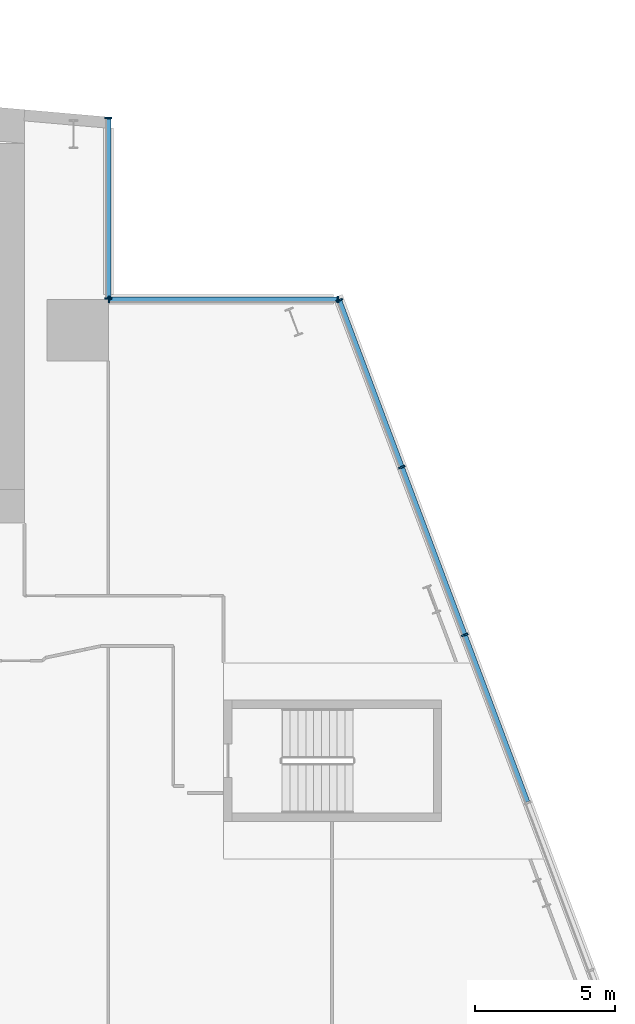
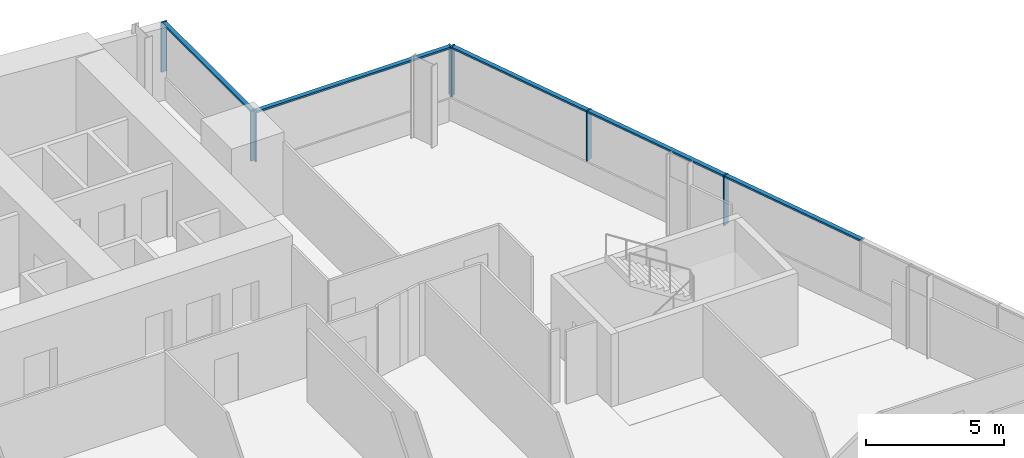
# One storey, part 9 of 24: 12 members, 3 elements without a shape of their own.
"""IFC4 building model written with IfcOpenShell, lengths in metres."""

import ifcopenshell
import ifcopenshell.guid

model = None  # the IFC model being written
_history = None  # IfcOwnerHistory: only IFC2X3 demands one
_inside = {}  # id of a spatial element -> (the spatial element, [elements in it])
_under = {}  # id of a project, library or spatial element -> (it, [spatial elements below it])
_declared = {}  # id of a project -> (the project, [libraries it declares])
_typed = {}  # id of a type object -> (the type object, [elements of that type])
_made_of = {}  # id of a material, layer set ... -> (it, [elements and type objects made of it])


def new_model(schema):
    """Start an empty IFC model of exactly this schema.

    Asked for "IFC4X3", IfcOpenShell would pick the latest addendum, in which some entities
    have other attributes; the version numbers below select the first issue.
    IFC2X3 requires an IfcOwnerHistory on every rooted entity: one is made here for all.
    """
    global model, _history
    if schema == "IFC4X3":
        model = ifcopenshell.file(schema_version=(4, 3, 0, 0))
    else:
        model = ifcopenshell.file(schema=schema)
    _inside.clear()
    _under.clear()
    _declared.clear()
    _typed.clear()
    _made_of.clear()
    _history = None
    if model.schema == "IFC2X3":
        org = make("IfcOrganization", Name="unknown")
        user = make(
            "IfcPersonAndOrganization",
            ThePerson=make("IfcPerson", FamilyName="unknown"),
            TheOrganization=org,
        )
        app = make(
            "IfcApplication",
            ApplicationDeveloper=org,
            Version="unknown",
            ApplicationFullName="unknown",
            ApplicationIdentifier="unknown",
        )
        _history = make(
            "IfcOwnerHistory",
            OwningUser=user,
            OwningApplication=app,
            ChangeAction="ADDED",
            CreationDate=0,
        )
    return model


def make(cls, **values):
    """One entity of the class cls with the attributes given. An attribute that is None is left unset."""
    return model.create_entity(
        cls, **{name: value for name, value in values.items() if value is not None}
    )


def rooted(cls, **values):
    """An entity with a GlobalId (a new one), such as an element, a storey or a relation."""
    return make(cls, GlobalId=ifcopenshell.guid.new(), OwnerHistory=_history, **values)


def si_unit(unit_type, name, prefix=None):
    """IfcSIUnit, for example si_unit("LENGTHUNIT", "METRE", prefix="MILLI")."""
    return make("IfcSIUnit", UnitType=unit_type, Prefix=prefix, Name=name)


def assignment(units):
    """IfcUnitAssignment: the units of a project."""
    return None if units is None else make("IfcUnitAssignment", Units=units)


def point(xyz):
    """IfcCartesianPoint."""
    return None if xyz is None else make("IfcCartesianPoint", Coordinates=xyz)


def direction(xyz):
    """IfcDirection."""
    return None if xyz is None else make("IfcDirection", DirectionRatios=xyz)


def frame(location, z_axis=None, x_axis=None):
    """IfcAxis2Placement3D, a coordinate frame: its origin and axes. An axis left out is left unset."""
    return make(
        "IfcAxis2Placement3D",
        Location=point(location),
        Axis=direction(z_axis),
        RefDirection=direction(x_axis),
    )


def frame_2d(location, x_axis=None):
    """IfcAxis2Placement2D, a coordinate frame in the plane: its origin and x axis."""
    return make(
        "IfcAxis2Placement2D", Location=point(location), RefDirection=direction(x_axis)
    )


def origin():
    """The frame at (0, 0, 0) with its axes left unset."""
    return frame((0.0, 0.0, 0.0))


def origin_2d():
    """The frame at (0, 0) in the plane with its x axis left unset."""
    return frame_2d((0.0, 0.0))


def place(relative_to, where):
    """IfcLocalPlacement: puts the frame where relative to a parent placement (None: the world)."""
    return make(
        "IfcLocalPlacement", PlacementRelTo=relative_to, RelativePlacement=where
    )


def context(
    kind, dimensions, precision=None, world=None, true_north=None, identifier=None
):
    """IfcGeometricRepresentationContext, for example the 3D "Model" context."""
    return make(
        "IfcGeometricRepresentationContext",
        ContextIdentifier=identifier,
        ContextType=kind,
        CoordinateSpaceDimension=dimensions,
        Precision=precision,
        WorldCoordinateSystem=world,
        TrueNorth=true_north,
    )


def subcontext(parent, identifier, kind, view, scale=None):
    """IfcGeometricRepresentationSubContext, for example "Body" below "Model"."""
    return make(
        "IfcGeometricRepresentationSubContext",
        ContextIdentifier=identifier,
        ContextType=kind,
        ParentContext=parent,
        TargetScale=scale,
        TargetView=view,
    )


def project(units=None, contexts=None):
    """IfcProject with its units and contexts."""
    return rooted(
        "IfcProject",
        Name="project",
        RepresentationContexts=contexts,
        UnitsInContext=assignment(units),
    )


def spatial(cls, under=None, at=None, **own):
    """A site, building, storey or space (cls), placed at a placement, below another one or the project."""
    s = rooted(cls, ObjectPlacement=at, **own)
    if under is not None:
        _under.setdefault(under.id(), (under, []))[1].append(s)
    return s


def profile(cls, at=None, kind="AREA", **sizes):
    """A parametric profile (cls). Its sizes go by their IFC names, for example OverallWidth=200.0."""
    return make(cls, ProfileType=kind, Position=at, **sizes)


def rectangle(**sizes):
    """IfcRectangleProfileDef."""
    return profile("IfcRectangleProfileDef", **sizes)


def extrude(swept, where, along, depth):
    """IfcExtrudedAreaSolid: the profile swept, set in the frame where, extruded along a direction by depth."""
    return make(
        "IfcExtrudedAreaSolid",
        SweptArea=swept,
        Position=where,
        ExtrudedDirection=direction(along),
        Depth=depth,
    )


def shape(context_of_items, identifier, shape_type, items):
    """IfcShapeRepresentation: the items that make up one representation, for example the "Body"."""
    return make(
        "IfcShapeRepresentation",
        ContextOfItems=context_of_items,
        RepresentationIdentifier=identifier,
        RepresentationType=shape_type,
        Items=items,
    )


def material(Name=None, Category=None):
    """IfcMaterial."""
    return make("IfcMaterial", Name=Name, Category=Category)


def material_profile(
    of_material, cross_section, Name=None, Category=None, Priority=None
):
    """IfcMaterialProfile: a cross section and its material."""
    return make(
        "IfcMaterialProfile",
        Name=Name,
        Material=of_material,
        Profile=cross_section,
        Priority=Priority,
        Category=Category,
    )


def profile_set(profiles, Name=None, composite=None):
    """IfcMaterialProfileSet."""
    return make(
        "IfcMaterialProfileSet",
        Name=Name,
        MaterialProfiles=profiles,
        CompositeProfile=composite,
    )


def made_of(thing, what):
    """Note that an element or type object is made of a material, layer set ...; save() writes the relation."""
    if what is not None:
        _made_of.setdefault(what.id(), (what, []))[1].append(thing)
    return thing


def type_object(cls, material=None, **own):
    """A type object (cls), such as IfcWallType, which elements share."""
    return made_of(rooted(cls, **own), material)


def element(
    cls,
    number,
    at=None,
    inside=None,
    cuts=None,
    type_object=None,
    material=None,
    context=None,
    identifier="Body",
    shape_type=None,
    held_by="IfcProductDefinitionShape",
    body=None,
    shapes=None,
    **own,
):
    """One element of the class cls, such as IfcWall. Its Tag is "e" and its number.

    at: its placement. inside: the storey or other place that contains it. cuts: it is an
    opening in that element (IfcRelVoidsElement). A single representation is given by context,
    identifier, shape_type and body (its items); several are given by shapes. held_by: the class
    of the entity that holds the representations. save() writes the other relations.
    """
    e = rooted(cls, Tag="e%d" % number, ObjectPlacement=at, **own)
    if body is not None:
        shapes = [shape(context, identifier, shape_type, body)]
    if shapes is not None:
        e.Representation = make(held_by, Representations=shapes)
    if inside is not None:
        _inside.setdefault(inside.id(), (inside, []))[1].append(e)
    if cuts is not None:
        rooted(
            "IfcRelVoidsElement", RelatingBuildingElement=cuts, RelatedOpeningElement=e
        )
    if type_object is not None:
        _typed.setdefault(type_object.id(), (type_object, []))[1].append(e)
    return made_of(e, material)


def aggregate(whole, parts):
    """IfcRelAggregates: a whole, such as a stair, and the parts it consists of."""
    return rooted("IfcRelAggregates", RelatingObject=whole, RelatedObjects=parts)


def save(model, path):
    """Write the relations noted so far, then the file.

    IfcRelAggregates (storeys below a building ...), IfcRelContainedInSpatialStructure (elements
    in a storey), IfcRelDefinesByType, IfcRelAssociatesMaterial and IfcRelDeclares: one each for
    every whole, place, type object, material and project.
    """
    for whole, parts in _under.values():
        aggregate(whole, parts)
    for where, things in _inside.values():
        rooted(
            "IfcRelContainedInSpatialStructure",
            RelatedElements=things,
            RelatingStructure=where,
        )
    for kind, things in _typed.values():
        rooted("IfcRelDefinesByType", RelatedObjects=things, RelatingType=kind)
    for what, things in _made_of.values():
        rooted("IfcRelAssociatesMaterial", RelatedObjects=things, RelatingMaterial=what)
    for by, libraries in _declared.values():
        rooted("IfcRelDeclares", RelatingContext=by, RelatedDefinitions=libraries)
    model.write(path)


model = new_model("IFC4")

# Units and contexts
model_context = context("Model", 3, precision=1e-05, world=origin(), true_north=direction((0.0, 1.0)))
body_context = subcontext(model_context, "Body", "Model", "MODEL_VIEW")
ifc_project = project(units=[si_unit("LENGTHUNIT", "METRE"), si_unit("AREAUNIT", "SQUARE_METRE"), si_unit("VOLUMEUNIT", "CUBIC_METRE"), si_unit("PLANEANGLEUNIT", "RADIAN"), si_unit("MASSUNIT", "GRAM", prefix="KILO")], contexts=[model_context])

# Site, building, storey
site_placement = place(None, origin())
site = spatial("IfcSite", under=ifc_project, at=site_placement, CompositionType="ELEMENT")
building_placement = place(site_placement, origin())
building = spatial("IfcBuilding", under=site, at=building_placement, Name="Wharfspan Tower", CompositionType="ELEMENT")
storey_placement = place(building_placement, frame((0.0, 0.0, 41.5)))
storey = spatial("IfcBuildingStorey", under=building, at=storey_placement, Name="L06", CompositionType="ELEMENT", Elevation=41.5)

# Curtain wall, members
ifc_material = material(Name="Aluminium 6063-T6", Category="aluminium")
curtain_wall_type = type_object("IfcCurtainWallType", Name="CURTAIN WALL PROW AND END", PredefinedType="NOTDEFINED", material=ifc_material)
curtain_wall_1_placement = place(storey_placement, origin())
curtain_wall_1 = element("IfcCurtainWall", 1, at=curtain_wall_1_placement, inside=storey, type_object=curtain_wall_type, Name="Curtain wall E", PredefinedType="NOTDEFINED")
ifc_material_profile_1 = material_profile(ifc_material, rectangle(XDim=0.23999, YDim=0.060059, at=origin_2d()))
ifc_profile_set_1 = profile_set([ifc_material_profile_1], Name="Aluminium 6063-T6")
member_type_1 = type_object("IfcMemberType", Name="MULLION PROW AND END 60x240", PredefinedType="MULLION", material=ifc_profile_set_1)
member_1_placement = place(storey_placement, frame((80.75, 30.0, 1.0), z_axis=(0.0, 0.0, 1.0), x_axis=(-0.936328, -0.351123, 0.0)))
member_1 = element("IfcMember", 2, at=member_1_placement, type_object=member_type_1, Name="Curtain wall E mullion 6", PredefinedType="MULLION", context=body_context, shape_type="SweptSolid", body=[
    extrude(rectangle(XDim=0.23999, YDim=0.060059, at=origin_2d()), origin(), (0.0, 0.0, 1.0), 2.199951),
])
member_2_placement = place(storey_placement, frame((78.5, 36.0, 1.0), z_axis=(0.0, 0.0, 1.0), x_axis=(-0.936328, -0.351123, 0.0)))
member_2 = element("IfcMember", 3, at=member_2_placement, type_object=member_type_1, Name="Curtain wall E mullion 7", PredefinedType="MULLION", context=body_context, shape_type="SweptSolid", body=[
    extrude(rectangle(XDim=0.23999, YDim=0.060059, at=origin_2d()), origin(), (0.0, 0.0, 1.0), 2.199951),
])
member_3_placement = place(storey_placement, frame((76.260498, 41.971924, 1.0), z_axis=(0.0, 0.0, 1.0), x_axis=(-0.936328, -0.351123, 0.0)))
member_3 = element("IfcMember", 4, at=member_3_placement, type_object=member_type_1, Name="Curtain wall E mullion 8", PredefinedType="MULLION", context=body_context, shape_type="SweptSolid", body=[
    extrude(rectangle(XDim=0.23999, YDim=0.060059, at=origin_2d()), origin(), (0.0, 0.0, 1.0), 2.199951),
])

curtain_wall_2_placement = place(storey_placement, origin())
curtain_wall_2 = element("IfcCurtainWall", 5, at=curtain_wall_2_placement, inside=storey, type_object=curtain_wall_type, Name="Curtain wall NRE-H", PredefinedType="NOTDEFINED")
member_4_placement = place(storey_placement, frame((76.219971, 42.0, 1.0), z_axis=(0.0, 0.0, 1.0), x_axis=(0.0, -1.0, 0.0)))
member_4 = element("IfcMember", 6, at=member_4_placement, type_object=member_type_1, Name="Curtain wall NRE-H mullion 1", PredefinedType="MULLION", context=body_context, shape_type="SweptSolid", body=[
    extrude(rectangle(XDim=0.23999, YDim=0.060059, at=origin_2d()), origin(), (0.0, 0.0, 1.0), 2.199951),
])
member_5_placement = place(storey_placement, frame((68.030029, 42.0, 1.0), z_axis=(0.0, 0.0, 1.0), x_axis=(0.0, -1.0, 0.0)))
member_5 = element("IfcMember", 7, at=member_5_placement, type_object=member_type_1, Name="Curtain wall NRE-H mullion 2", PredefinedType="MULLION", context=body_context, shape_type="SweptSolid", body=[
    extrude(rectangle(XDim=0.23999, YDim=0.060059, at=origin_2d()), origin(), (0.0, 0.0, 1.0), 2.199951),
])

curtain_wall_3_placement = place(storey_placement, origin())
curtain_wall_3 = element("IfcCurtainWall", 8, at=curtain_wall_3_placement, inside=storey, type_object=curtain_wall_type, Name="Curtain wall NRE-V", PredefinedType="NOTDEFINED")
member_6_placement = place(storey_placement, frame((68.0, 42.030029, 1.0), z_axis=(0.0, 0.0, 1.0), x_axis=(-1.0, 0.0, 0.0)))
member_6 = element("IfcMember", 9, at=member_6_placement, type_object=member_type_1, Name="Curtain wall NRE-V mullion 1", PredefinedType="MULLION", context=body_context, shape_type="SweptSolid", body=[
    extrude(rectangle(XDim=0.23999, YDim=0.060059, at=origin_2d()), origin(), (0.0, 0.0, 1.0), 2.199951),
])
member_7_placement = place(storey_placement, frame((68.0, 48.494873, 1.0), z_axis=(0.0, 0.0, 1.0), x_axis=(-1.0, 0.0, 0.0)))
member_7 = element("IfcMember", 10, at=member_7_placement, type_object=member_type_1, Name="Curtain wall NRE-V mullion 2", PredefinedType="MULLION", context=body_context, shape_type="SweptSolid", body=[
    extrude(rectangle(XDim=0.23999, YDim=0.060059, at=origin_2d()), origin(), (0.0, 0.0, 1.0), 2.199951),
])

# Member
ifc_material_profile_2 = material_profile(ifc_material, rectangle(XDim=0.179932, YDim=0.080078, at=origin_2d()))
ifc_profile_set_2 = profile_set([ifc_material_profile_2], Name="Aluminium 6063-T6")
member_type_2 = type_object("IfcMemberType", Name="TRANSOM PROW AND END 80x180", PredefinedType="USERDEFINED", material=ifc_profile_set_2)
member_8_placement = place(storey_placement, frame((82.989502, 24.028076, 3.159912), z_axis=(-0.351132, 0.936326, 0.0), x_axis=(-0.936326, -0.351132, 0.0)))
member_8 = element("IfcMember", 11, at=member_8_placement, type_object=member_type_2, Name="Curtain wall E transom 5", ObjectType="TRANSOM", PredefinedType="USERDEFINED", context=body_context, shape_type="SweptSolid", body=[
    extrude(rectangle(XDim=0.179932, YDim=0.080078, at=origin_2d()), origin(), (0.0, 0.0, 1.0), 6.348145),
])

member_9_placement = place(storey_placement, frame((80.739502, 30.028076, 3.159912), z_axis=(-0.351132, 0.936326, 0.0), x_axis=(-0.936326, -0.351132, 0.0)))
member_9 = element("IfcMember", 12, at=member_9_placement, type_object=member_type_2, Name="Curtain wall E transom 6", ObjectType="TRANSOM", PredefinedType="USERDEFINED", context=body_context, shape_type="SweptSolid", body=[
    extrude(rectangle(XDim=0.179932, YDim=0.080078, at=origin_2d()), origin(), (0.0, 0.0, 1.0), 6.348145),
])

member_10_placement = place(storey_placement, frame((78.489502, 36.028076, 3.159912), z_axis=(-0.351136, 0.936324, 0.0), x_axis=(-0.936324, -0.351136, 0.0)))
member_10 = element("IfcMember", 13, at=member_10_placement, type_object=member_type_2, Name="Curtain wall E transom 7", ObjectType="TRANSOM", PredefinedType="USERDEFINED", context=body_context, shape_type="SweptSolid", body=[
    extrude(rectangle(XDim=0.179932, YDim=0.080078, at=origin_2d()), origin(), (0.0, 0.0, 1.0), 6.318115),
])

aggregate(curtain_wall_1, [member_1, member_2, member_3, member_8, member_9, member_10])

member_11_placement = place(storey_placement, frame((76.189941, 42.0, 3.159912), z_axis=(-1.0, 0.0, 0.0), x_axis=(0.0, -1.0, 0.0)))
member_11 = element("IfcMember", 14, at=member_11_placement, type_object=member_type_2, Name="Curtain wall NRE-H transom 1", ObjectType="TRANSOM", PredefinedType="USERDEFINED", context=body_context, shape_type="SweptSolid", body=[
    extrude(rectangle(XDim=0.179932, YDim=0.080078, at=origin_2d()), origin(), (0.0, 0.0, 1.0), 8.129883),
])

aggregate(curtain_wall_2, [member_4, member_5, member_11])

member_12_placement = place(storey_placement, frame((68.0, 42.060059, 3.159912), z_axis=(0.0, 1.0, 0.0), x_axis=(-1.0, 0.0, 0.0)))
member_12 = element("IfcMember", 15, at=member_12_placement, type_object=member_type_2, Name="Curtain wall NRE-V transom 1", ObjectType="TRANSOM", PredefinedType="USERDEFINED", context=body_context, shape_type="SweptSolid", body=[
    extrude(rectangle(XDim=0.179932, YDim=0.080078, at=origin_2d()), origin(), (0.0, 0.0, 1.0), 6.404785),
])

aggregate(curtain_wall_3, [member_6, member_7, member_12])

save(model, "model.ifc")
